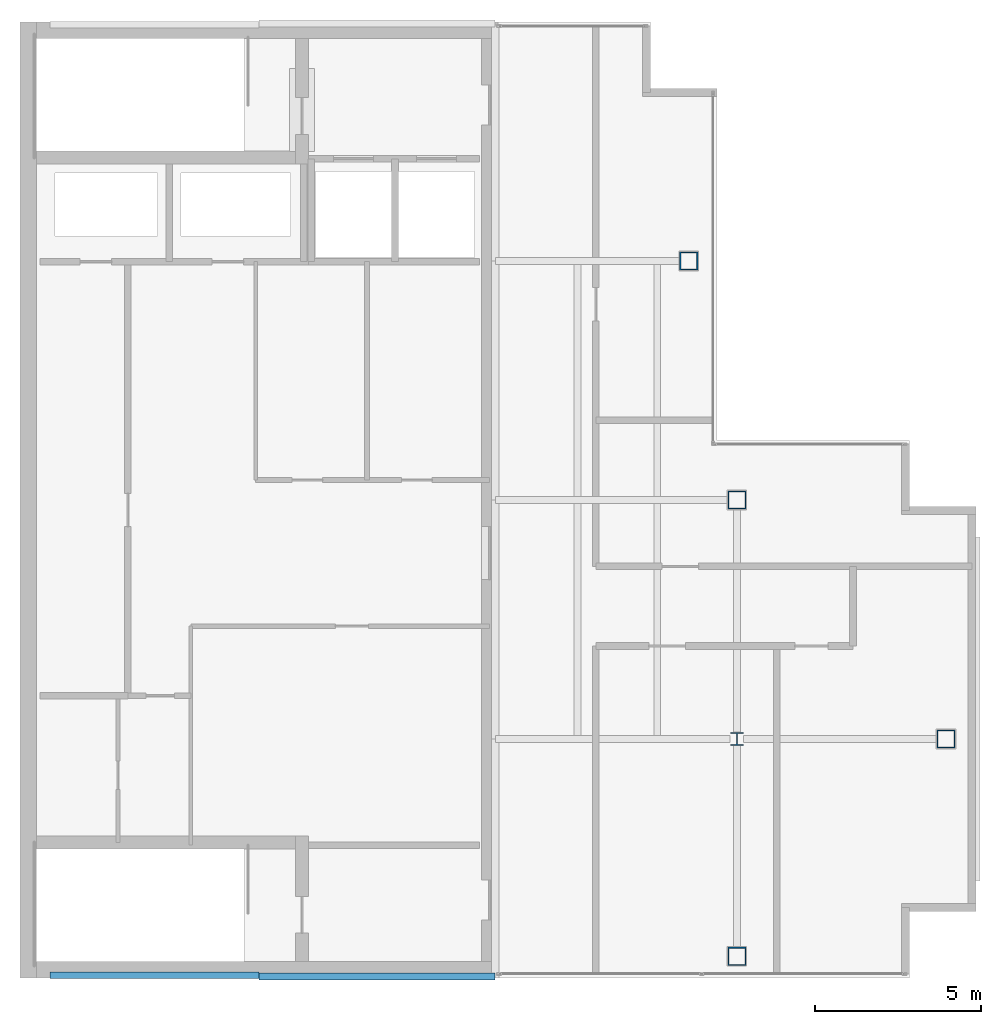
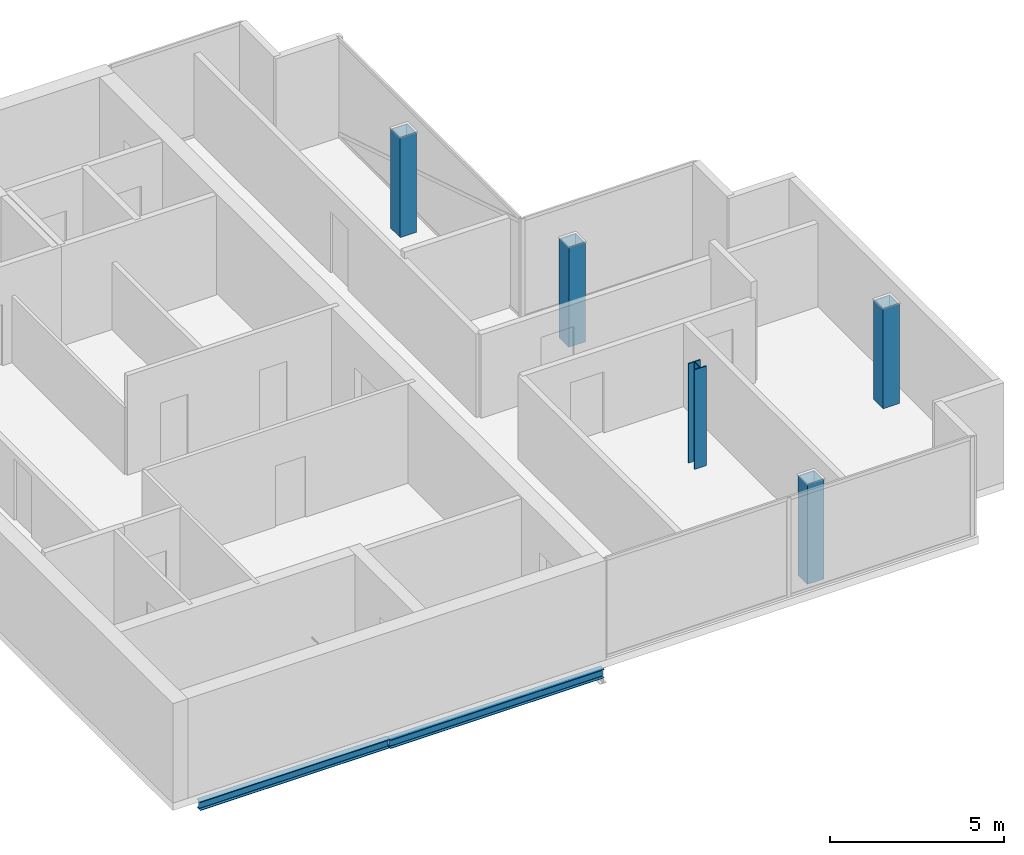
# One storey, part 1 of 15: 5 columns, 2 beams.
"""IFC4 building model written with IfcOpenShell, lengths in metres."""

from ifc_helpers import new_model, si_unit, direction, frame, origin, origin_2d, place, context, subcontext, project, spatial, hollow_rectangle, i_section, extrude, material, material_profile, profile_set, type_object, element, save


model = new_model("IFC4")

# Units and contexts
model_context = context("Model", 3, precision=1e-05, world=origin(), true_north=direction((0.0, 1.0)))
body_context = subcontext(model_context, "Body", "Model", "MODEL_VIEW")
ifc_project = project(units=[si_unit("LENGTHUNIT", "METRE"), si_unit("AREAUNIT", "SQUARE_METRE"), si_unit("VOLUMEUNIT", "CUBIC_METRE"), si_unit("PLANEANGLEUNIT", "RADIAN"), si_unit("MASSUNIT", "GRAM", prefix="KILO")], contexts=[model_context])

# Site, building, storey
site_placement = place(None, origin())
site = spatial("IfcSite", under=ifc_project, at=site_placement, CompositionType="ELEMENT")
building_placement = place(site_placement, origin())
building = spatial("IfcBuilding", under=site, at=building_placement, Name="Cobrela Telecom Tower", CompositionType="ELEMENT")
storey_placement = place(building_placement, frame((0.0, 0.0, 301.35009765625)))
storey = spatial("IfcBuildingStorey", under=building, at=storey_placement, Name="L79", CompositionType="ELEMENT", Elevation=301.35009765625)

# Columns
ifc_material_1 = material(Name="Steel ASTM A992 Grade 50", Category="steel")
ifc_material_profile_1 = material_profile(ifc_material_1, i_section(OverallWidth=0.39892578125, OverallDepth=0.39404296875, WebThickness=0.022705078125, FlangeThickness=0.03662109375, FilletRadius=0.01806640625, at=origin_2d()), Name="W14X193")
ifc_profile_set_1 = profile_set([ifc_material_profile_1], Name="Steel ASTM A992 Grade 50")
column_type_1 = type_object("IfcColumnType", Name="COL-INT-06", PredefinedType="COLUMN", material=ifc_profile_set_1)
column_placement = place(storey_placement, frame((21.60009765625, 14.39990234375, 0.0), z_axis=(0.0, 0.0, 1.0), x_axis=(1.0, 0.0, 0.0)))
element("IfcColumn", 1, at=column_placement, inside=storey, type_object=column_type_1, Name="L79 Interior Column 03", PredefinedType="COLUMN", context=body_context, shape_type="SweptSolid", body=[
    extrude(i_section(OverallWidth=0.39892578125, OverallDepth=0.39404296875, WebThickness=0.022705078125, FlangeThickness=0.03662109375, FilletRadius=0.01806640625, at=origin_2d()), origin(), (0.0, 0.0, 1.0), 3.5),
])
ifc_material_2 = material(Name="Steel ASTM A572 Grade 50", Category="steel")
ifc_material_profile_2 = material_profile(ifc_material_2, hollow_rectangle(XDim=0.550048828125, YDim=0.550048828125, WallThickness=0.034912109375, at=origin_2d()), Name="BOX 550x550x35")
ifc_profile_set_2 = profile_set([ifc_material_profile_2], Name="Steel ASTM A572 Grade 50")
column_type_2 = type_object("IfcColumnType", Name="COL-MEGA-10", PredefinedType="COLUMN", material=ifc_profile_set_2)
for number, where, z_axis, x_axis, name in (
    (2, (20.14990234375, 28.800048828125, 0.0), (0.0, 0.0, 1.0), (1.0, 0.0, 0.0), "L79 Perimeter Mega-Column 01"),
    (3, (21.60009765625, 7.85009765625, 0.0), (0.0, 0.0, 1.0), (1.0, 0.0, 0.0), "L79 Perimeter Mega-Column 02"),
    (4, (21.60009765625, 21.60009765625, 0.0), (0.0, 0.0, 1.0), (1.0, 0.0, 0.0), "L79 Perimeter Mega-Column 04"),
    (5, (27.89990234375, 14.39990234375, 0.0), (0.0, 0.0, 1.0), (1.0, 0.0, 0.0), "L79 Perimeter Mega-Column 05"),
):
    element("IfcColumn", number, at=place(storey_placement, frame(where, z_axis=z_axis, x_axis=x_axis)), inside=storey, type_object=column_type_2, Name=name, PredefinedType="COLUMN", context=body_context, shape_type="SweptSolid", body=[
        extrude(hollow_rectangle(XDim=0.550048828125, YDim=0.550048828125, WallThickness=0.034912109375, at=origin_2d()), origin(), (0.0, 0.0, 1.0), 3.5),
    ])

# Beams
ifc_material_profile_3 = material_profile(ifc_material_1, i_section(OverallWidth=0.205078125, OverallDepth=0.31005859375, WebThickness=0.009521484375, FlangeThickness=0.016357421875, FilletRadius=0.010986328125, at=origin_2d()), Name="W12X50")
ifc_profile_set_3 = profile_set([ifc_material_profile_3], Name="Steel ASTM A992 Grade 50")
beam_type = type_object("IfcBeamType", Name="BM-SPAND-07", PredefinedType="SPANDREL", material=ifc_profile_set_3)
beam_1_placement = place(storey_placement, frame((0.905029296875, 7.280029296875, -0.4150390625), z_axis=(1.0, 0.0, 0.0), x_axis=(0.0, 1.0, 0.0)))
element("IfcBeam", 6, at=beam_1_placement, inside=storey, type_object=beam_type, Name="L79 Perimeter Spandrel X01", PredefinedType="SPANDREL", context=body_context, shape_type="SweptSolid", body=[
    extrude(i_section(OverallWidth=0.205078125, OverallDepth=0.31005859375, WebThickness=0.009521484375, FlangeThickness=0.016357421875, FilletRadius=0.010986328125, at=origin_2d()), origin(), (0.0, 0.0, 1.0), 6.2900390625),
])
beam_2_placement = place(storey_placement, frame((7.205078125, 7.239990234375, -0.4150390625), z_axis=(1.0, 0.0, 0.0), x_axis=(0.0, 1.0, 0.0)))
element("IfcBeam", 7, at=beam_2_placement, inside=storey, type_object=beam_type, Name="L79 Perimeter Spandrel X02", PredefinedType="SPANDREL", context=body_context, shape_type="SweptSolid", body=[
    extrude(i_section(OverallWidth=0.205078125, OverallDepth=0.31005859375, WebThickness=0.009521484375, FlangeThickness=0.016357421875, FilletRadius=0.010986328125, at=origin_2d()), origin(), (0.0, 0.0, 1.0), 7.10986328125),
])

save(model, "model.ifc")
